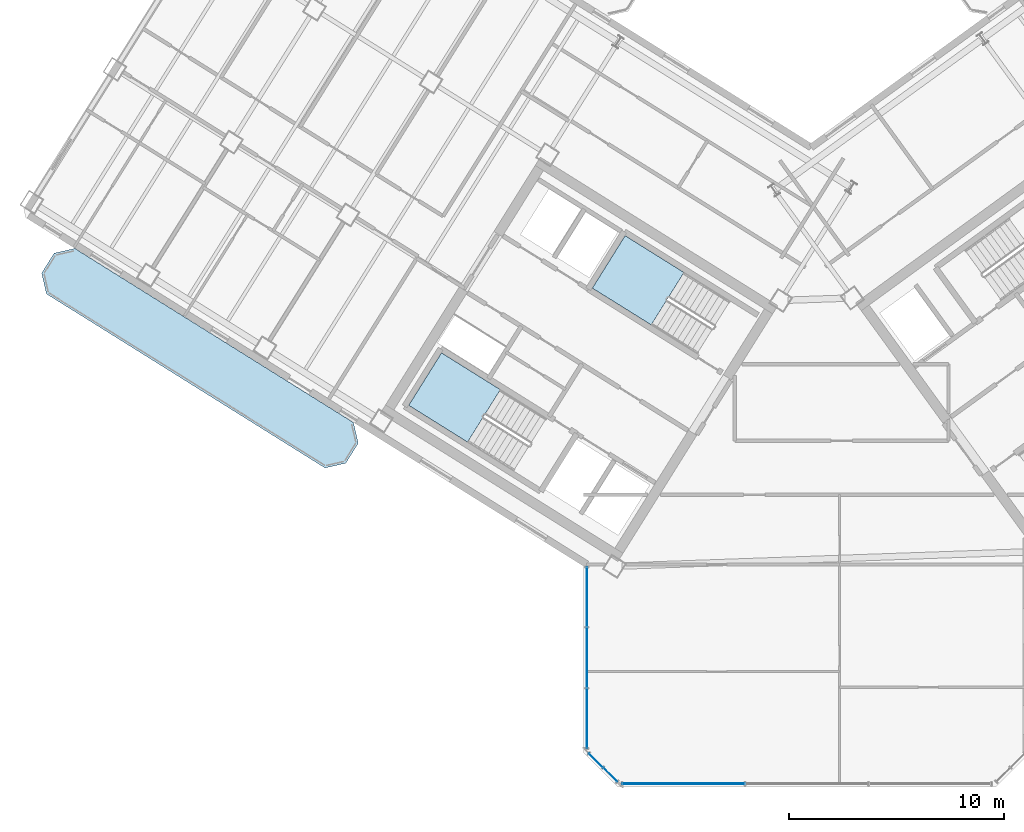
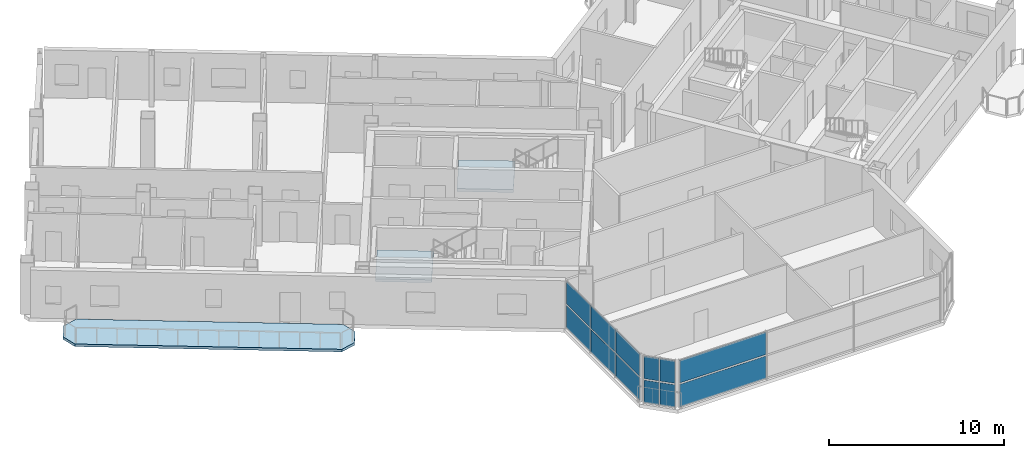
# One storey, part 8 of 20: 12 plates, 3 slabs, 5 elements without a shape of their own.
"""IFC4 building model written with IfcOpenShell, lengths in metres."""

from ifc_helpers import new_model, si_unit, direction, frame, origin, origin_2d, place, context, subcontext, project, spatial, polyline, rectangle, outline, extrude, source, transform, mapped, material, layer, layer_set, type_object, element, aggregate, save


model = new_model("IFC4")

# Units and contexts
model_context = context("Model", 3, precision=1e-05, world=origin(), true_north=direction((0.0, 1.0)))
body_context = subcontext(model_context, "Body", "Model", "MODEL_VIEW")
ifc_project = project(units=[si_unit("LENGTHUNIT", "METRE"), si_unit("AREAUNIT", "SQUARE_METRE"), si_unit("VOLUMEUNIT", "CUBIC_METRE"), si_unit("PLANEANGLEUNIT", "RADIAN"), si_unit("MASSUNIT", "GRAM", prefix="KILO")], contexts=[model_context])

# Site, building, storey
site_placement = place(None, origin())
site = spatial("IfcSite", under=ifc_project, at=site_placement, CompositionType="ELEMENT")
building_placement = place(site_placement, origin())
building = spatial("IfcBuilding", under=site, at=building_placement, Name="Tlacorven Tower", CompositionType="ELEMENT")
storey_placement = place(building_placement, frame((0.0, 0.0, 211.199951171875)))
storey = spatial("IfcBuildingStorey", under=building, at=storey_placement, Name="L53", CompositionType="ELEMENT", Elevation=211.199951171875)

# Slab
ifc_material_1 = material(Name="Precast concrete C45/55", Category="concrete")
ifc_layer_1 = layer(ifc_material_1, 0.179931640625)
ifc_layer_set_1 = layer_set([ifc_layer_1], Name="Precast concrete C45/55")
slab_type_1 = type_object("IfcSlabType", Name="SL-BAL-180", PredefinedType="USERDEFINED", material=ifc_layer_set_1)
slab_1_placement = place(storey_placement, frame((0.0, 0.0, -0.179931640625)))
element("IfcSlab", 1, at=slab_1_placement, inside=storey, type_object=slab_type_1, Name="L53 West Wing Balcony Ribbon OUT", ObjectType="BALCONY SLAB", PredefinedType="USERDEFINED", context=body_context, shape_type="SweptSolid", body=[
    extrude(outline(polyline([(20.88671875, 18.78271484375), (7.91162109375, 26.890625), (6.947021484375, 26.66796875), (6.366943359375, 25.7392578125), (6.589599609375, 24.774658203125), (19.564697265625, 16.6669921875), (20.529296875, 16.8896484375), (21.109375, 17.818115234375), (20.88671875, 18.78271484375)])), origin(), (0.0, 0.0, 1.0), 0.179931640625),
])

# Stair, slab
ifc_material_2 = material(Name="Concrete C40/50", Category="concrete")
stair_type = type_object("IfcStairType", Name="ST-CORE-DLG", PredefinedType="HALF_TURN_STAIR", material=ifc_material_2)
stair_1_placement = place(storey_placement, origin())
stair_1 = element("IfcStair", 2, at=stair_1_placement, inside=storey, type_object=stair_type, Name="L53 Protected Exit Stair West 1", PredefinedType="HALF_TURN_STAIR")
ifc_layer_2 = layer(ifc_material_2, 0.199951171875)
ifc_layer_set_2 = layer_set([ifc_layer_2], Name="Concrete C40/50")
slab_type_2 = type_object("IfcSlabType", Name="SL-LND-200", PredefinedType="LANDING", material=ifc_layer_set_2)
slab_2_placement = place(storey_placement, frame((0.0, 0.0, 1.60009765625)))
slab_2 = element("IfcSlab", 3, at=slab_2_placement, type_object=slab_type_2, Name="ST-W1 landing 1", PredefinedType="LANDING", context=body_context, shape_type="SweptSolid", body=[
    extrude(outline(polyline([(27.728515625, 20.315185546875), (24.9892578125, 22.02685546875), (23.463134765625, 19.58447265625), (26.2021484375, 17.872802734375), (27.728515625, 20.315185546875)])), origin(), (0.0, 0.0, 1.0), 0.199951171875),
])
aggregate(stair_1, [slab_2])

stair_2_placement = place(storey_placement, origin())
stair_2 = element("IfcStair", 4, at=stair_2_placement, inside=storey, type_object=stair_type, Name="L53 Protected Exit Stair West 2", PredefinedType="HALF_TURN_STAIR")
slab_3_placement = place(storey_placement, frame((0.0, 0.0, 1.60009765625)))
slab_3 = element("IfcSlab", 5, at=slab_3_placement, type_object=slab_type_2, Name="ST-W2 landing 1", PredefinedType="LANDING", context=body_context, shape_type="SweptSolid", body=[
    extrude(outline(polyline([(36.280029296875, 25.772705078125), (33.540771484375, 27.484375), (32.0146484375, 25.0419921875), (34.75390625, 23.33056640625), (36.280029296875, 25.772705078125)])), origin(), (0.0, 0.0, 1.0), 0.199951171875),
])
aggregate(stair_2, [slab_3])

# Curtain wall, plates
ifc_material_3 = material(Name="Dark solar low-E double glazing in aluminium frame", Category="aluminium")
curtain_wall_type = type_object("IfcCurtainWallType", Name="CW-TWR-HIGH", PredefinedType="USERDEFINED", material=ifc_material_3)
curtain_wall_1_placement = place(storey_placement, origin())
curtain_wall_1 = element("IfcCurtainWall", 6, at=curtain_wall_1_placement, inside=storey, type_object=curtain_wall_type, Name="L53 CW-TWR-HIGH Curtain Wall 242", ObjectType="UNITISED CURTAIN WALL", PredefinedType="USERDEFINED")
ifc_material_4 = material(Name="High-wind dark solar tempered low-E glazing", Category="glass")
ifc_layer_3 = layer(ifc_material_4, 0.028076171875)
ifc_layer_set_3 = layer_set([ifc_layer_3], Name="High-wind dark solar tempered low-E glazing")
plate_type = type_object("IfcPlateType", Name="CWP-03", PredefinedType="CURTAIN_PANEL", material=ifc_layer_set_3)
shared_shape_1 = source(origin(), body_context, "Body", "SweptSolid", [
    extrude(rectangle(XDim=0.89306640625, YDim=0.028076171875, at=origin_2d()), origin(), (0.0, 0.0, 1.0), 1.572998046875),
])
plate_1_placement = place(storey_placement, frame((32.84375, 2.382568359375, 0.05126953125), z_axis=(0.0, 0.0, 1.0), x_axis=(-0.707106781187, 0.707106781187, 0.0)))
plate_1 = element("IfcPlate", 7, at=plate_1_placement, type_object=plate_type, Name="CW-L53-242 Glazing Panel 1", PredefinedType="CURTAIN_PANEL", context=body_context, shape_type="MappedRepresentation", body=[
    mapped(shared_shape_1, transform((0.0, 0.0, 0.0), scale=1.0)),
])
plate_2_placement = place(storey_placement, frame((32.84375, 2.382568359375, 1.72607421875), z_axis=(0.0, 0.0, 1.0), x_axis=(-0.707106781187, 0.707106781187, 0.0)))
plate_2 = element("IfcPlate", 8, at=plate_2_placement, type_object=plate_type, Name="CW-L53-242 Glazing Panel 2", PredefinedType="CURTAIN_PANEL", context=body_context, shape_type="MappedRepresentation", body=[
    mapped(shared_shape_1, transform((0.0, 0.0, 0.0), scale=1.0)),
])
plate_3_placement = place(storey_placement, frame((32.1826171875, 3.043701171875, 0.05126953125), z_axis=(0.0, 0.0, 1.0), x_axis=(-0.707106781187, 0.707106781187, 0.0)))
plate_3 = element("IfcPlate", 9, at=plate_3_placement, type_object=plate_type, Name="CW-L53-242 Glazing Panel 3", PredefinedType="CURTAIN_PANEL", context=body_context, shape_type="MappedRepresentation", body=[
    mapped(shared_shape_1, transform((0.0, 0.0, 0.0), scale=1.0)),
])
plate_4_placement = place(storey_placement, frame((32.1826171875, 3.043701171875, 1.72607421875), z_axis=(0.0, 0.0, 1.0), x_axis=(-0.707106781187, 0.707106781187, 0.0)))
plate_4 = element("IfcPlate", 10, at=plate_4_placement, type_object=plate_type, Name="CW-L53-242 Glazing Panel 4", PredefinedType="CURTAIN_PANEL", context=body_context, shape_type="MappedRepresentation", body=[
    mapped(shared_shape_1, transform((0.0, 0.0, 0.0), scale=1.0)),
])
aggregate(curtain_wall_1, [plate_1, plate_2, plate_3, plate_4])

curtain_wall_2_placement = place(storey_placement, origin())
curtain_wall_2 = element("IfcCurtainWall", 11, at=curtain_wall_2_placement, inside=storey, type_object=curtain_wall_type, Name="L53 CW-TWR-HIGH Curtain Wall 241", ObjectType="UNITISED CURTAIN WALL", PredefinedType="USERDEFINED")
shared_shape_2 = source(origin(), body_context, "Body", "SweptSolid", [
    extrude(rectangle(XDim=5.683837890625, YDim=0.028076171875, at=origin_2d()), origin(), (0.0, 0.0, 1.0), 1.572998046875),
])
plate_5_placement = place(storey_placement, frame((36.25927734375, 1.9599609375, 0.05126953125), z_axis=(0.0, 0.0, 1.0), x_axis=(-1.0, 0.0, 0.0)))
plate_5 = element("IfcPlate", 12, at=plate_5_placement, type_object=plate_type, Name="CW-L53-241 Glazing Panel 5", PredefinedType="CURTAIN_PANEL", context=body_context, shape_type="MappedRepresentation", body=[
    mapped(shared_shape_2, transform((0.0, 0.0, 0.0), scale=1.0)),
])
plate_6_placement = place(storey_placement, frame((36.25927734375, 1.9599609375, 1.72607421875), z_axis=(0.0, 0.0, 1.0), x_axis=(-1.0, 0.0, 0.0)))
plate_6 = element("IfcPlate", 13, at=plate_6_placement, type_object=plate_type, Name="CW-L53-241 Glazing Panel 6", PredefinedType="CURTAIN_PANEL", context=body_context, shape_type="MappedRepresentation", body=[
    mapped(shared_shape_2, transform((0.0, 0.0, 0.0), scale=1.0)),
])
aggregate(curtain_wall_2, [plate_5, plate_6])

curtain_wall_3_placement = place(storey_placement, origin())
curtain_wall_3 = element("IfcCurtainWall", 14, at=curtain_wall_3_placement, inside=storey, type_object=curtain_wall_type, Name="L53 CW-TWR-HIGH Curtain Wall 243", ObjectType="UNITISED CURTAIN WALL", PredefinedType="USERDEFINED")
shared_shape_3 = source(origin(), body_context, "Body", "SweptSolid", [
    extrude(rectangle(XDim=2.766845703125, YDim=0.028076171875, at=origin_2d()), origin(), (0.0, 0.0, 1.0), 1.572998046875),
])
plate_7_placement = place(storey_placement, frame((31.760009765625, 5.000732421875, 0.05126953125), z_axis=(0.0, 0.0, 1.0), x_axis=(0.0, 1.0, 0.0)))
plate_7 = element("IfcPlate", 15, at=plate_7_placement, type_object=plate_type, Name="CW-L53-243 Glazing Panel 1", PredefinedType="CURTAIN_PANEL", context=body_context, shape_type="MappedRepresentation", body=[
    mapped(shared_shape_3, transform((0.0, 0.0, 0.0), scale=1.0)),
])
plate_8_placement = place(storey_placement, frame((31.760009765625, 5.000732421875, 1.72607421875), z_axis=(0.0, 0.0, 1.0), x_axis=(0.0, 1.0, 0.0)))
plate_8 = element("IfcPlate", 16, at=plate_8_placement, type_object=plate_type, Name="CW-L53-243 Glazing Panel 2", PredefinedType="CURTAIN_PANEL", context=body_context, shape_type="MappedRepresentation", body=[
    mapped(shared_shape_3, transform((0.0, 0.0, 0.0), scale=1.0)),
])
plate_9_placement = place(storey_placement, frame((31.760009765625, 10.648681640625, 0.05126953125), z_axis=(0.0, 0.0, 1.0), x_axis=(0.0, 1.0, 0.0)))
plate_9 = element("IfcPlate", 17, at=plate_9_placement, type_object=plate_type, Name="CW-L53-243 Glazing Panel 5", PredefinedType="CURTAIN_PANEL", context=body_context, shape_type="MappedRepresentation", body=[
    mapped(shared_shape_3, transform((0.0, 0.0, 0.0), scale=1.0)),
])
plate_10_placement = place(storey_placement, frame((31.760009765625, 10.648681640625, 1.72607421875), z_axis=(0.0, 0.0, 1.0), x_axis=(0.0, 1.0, 0.0)))
plate_10 = element("IfcPlate", 18, at=plate_10_placement, type_object=plate_type, Name="CW-L53-243 Glazing Panel 6", PredefinedType="CURTAIN_PANEL", context=body_context, shape_type="MappedRepresentation", body=[
    mapped(shared_shape_3, transform((0.0, 0.0, 0.0), scale=1.0)),
])
shared_shape_4 = source(origin(), body_context, "Body", "SweptSolid", [
    extrude(rectangle(XDim=2.796875, YDim=0.028076171875, at=origin_2d()), origin(), (0.0, 0.0, 1.0), 1.572998046875),
])
plate_11_placement = place(storey_placement, frame((31.760009765625, 7.82470703125, 0.05126953125), z_axis=(0.0, 0.0, 1.0), x_axis=(0.0, 1.0, 0.0)))
plate_11 = element("IfcPlate", 19, at=plate_11_placement, type_object=plate_type, Name="CW-L53-243 Glazing Panel 3", PredefinedType="CURTAIN_PANEL", context=body_context, shape_type="MappedRepresentation", body=[
    mapped(shared_shape_4, transform((0.0, 0.0, 0.0), scale=1.0)),
])
plate_12_placement = place(storey_placement, frame((31.760009765625, 7.82470703125, 1.72607421875), z_axis=(0.0, 0.0, 1.0), x_axis=(0.0, 1.0, 0.0)))
plate_12 = element("IfcPlate", 20, at=plate_12_placement, type_object=plate_type, Name="CW-L53-243 Glazing Panel 4", PredefinedType="CURTAIN_PANEL", context=body_context, shape_type="MappedRepresentation", body=[
    mapped(shared_shape_4, transform((0.0, 0.0, 0.0), scale=1.0)),
])
aggregate(curtain_wall_3, [plate_7, plate_8, plate_11, plate_12, plate_9, plate_10])

save(model, "model.ifc")
